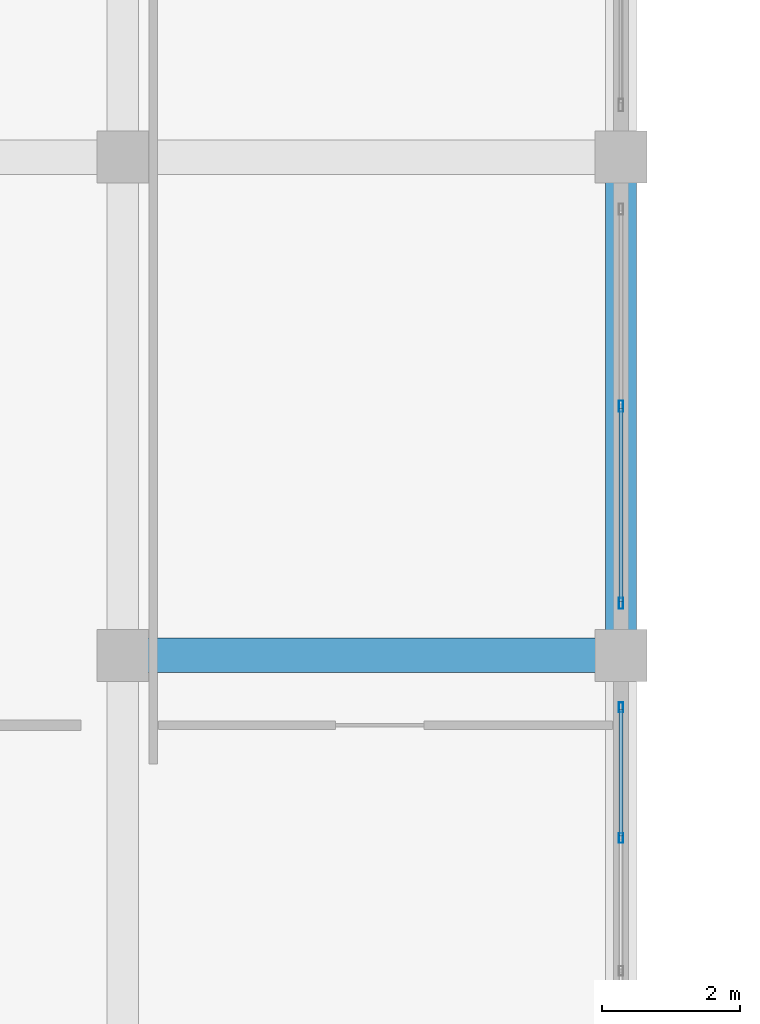
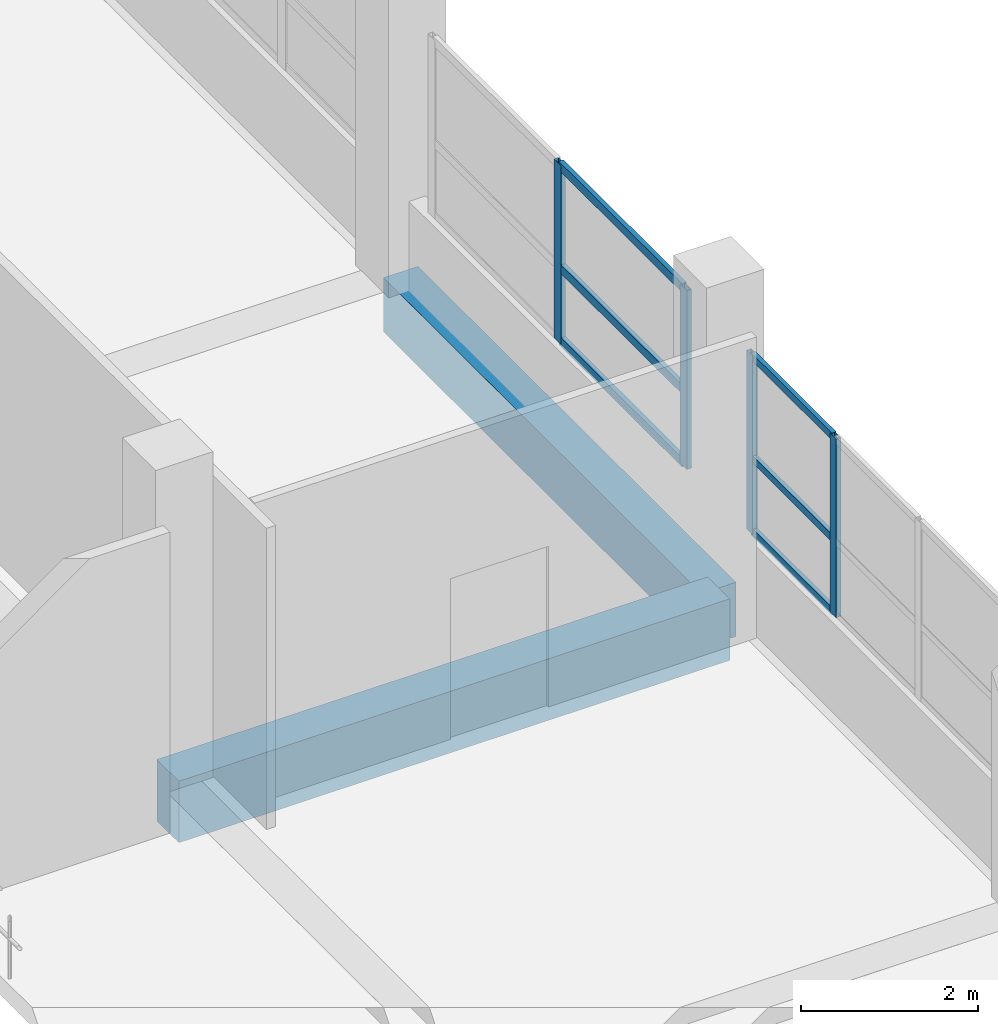
# One storey, part 57 of 141: 10 members, 2 beams, 2 elements without a shape of their own.
"""IFC4 building model written with IfcOpenShell, lengths in metres."""

from ifc_helpers import new_model, si_unit, direction, frame, origin, origin_2d, place, context, subcontext, project, spatial, rectangle, hollow_rectangle, extrude, material, layer, layer_set, material_profile, profile_set, type_object, element, aggregate, save


model = new_model("IFC4")

# Units and contexts
model_context = context("Model", 3, precision=1e-05, world=origin(), true_north=direction((0.0, 1.0)))
body_context = subcontext(model_context, "Body", "Model", "MODEL_VIEW")
ifc_project = project(units=[si_unit("LENGTHUNIT", "METRE"), si_unit("AREAUNIT", "SQUARE_METRE"), si_unit("VOLUMEUNIT", "CUBIC_METRE"), si_unit("PLANEANGLEUNIT", "RADIAN"), si_unit("MASSUNIT", "GRAM", prefix="KILO")], contexts=[model_context])

# Site, building, storey
site_placement = place(None, origin())
site = spatial("IfcSite", under=ifc_project, at=site_placement, CompositionType="ELEMENT")
building_placement = place(site_placement, origin())
building = spatial("IfcBuilding", under=site, at=building_placement, Name="Seraya Terrace Polytechnic", CompositionType="ELEMENT")
storey_placement = place(building_placement, frame((0.0, 0.0, 14.39990234375)))
storey = spatial("IfcBuildingStorey", under=building, at=storey_placement, Name="L03", CompositionType="ELEMENT", Elevation=14.39990234375)

# Beams
ifc_material_1 = material(Name="Concrete C40/50", Category="concrete")
ifc_material_profile_1 = material_profile(ifc_material_1, rectangle(XDim=0.5, YDim=0.85009765625, at=origin_2d()), Name="RC 500x850")
ifc_profile_set_1 = profile_set([ifc_material_profile_1], Name="Concrete C40/50")
beam_type_1 = type_object("IfcBeamType", Name="BM-05", PredefinedType="BEAM", material=ifc_profile_set_1)
beam_1_placement = place(storey_placement, frame((100.800048828125, 57.60009765625, -0.4248046875), z_axis=(1.0, 0.0, 0.0), x_axis=(0.0, 1.0, 0.0)))
element("IfcBeam", 1, at=beam_1_placement, inside=storey, type_object=beam_type_1, Name="Beam BM-05 L03 X (100.8..108.0, 57.6)", PredefinedType="BEAM", context=body_context, shape_type="SweptSolid", body=[
    extrude(rectangle(XDim=0.5, YDim=0.85009765625, at=origin_2d()), origin(), (0.0, 0.0, 1.0), 7.199951171875),
])
ifc_material_profile_2 = material_profile(ifc_material_1, rectangle(XDim=0.449951171875, YDim=0.75, at=origin_2d()), Name="RC 450x750")
ifc_profile_set_2 = profile_set([ifc_material_profile_2], Name="Concrete C40/50")
beam_type_2 = type_object("IfcBeamType", Name="BM-08", PredefinedType="BEAM", material=ifc_profile_set_2)
beam_2_placement = place(storey_placement, frame((108.0, 57.60009765625, -0.375), z_axis=(0.0, 1.0, 0.0), x_axis=(-1.0, 0.0, 0.0)))
element("IfcBeam", 2, at=beam_2_placement, inside=storey, type_object=beam_type_2, Name="Beam BM-08 L03 Y (108.0, 57.6..64.8)", PredefinedType="BEAM", context=body_context, shape_type="SweptSolid", body=[
    extrude(rectangle(XDim=0.449951171875, YDim=0.75, at=origin_2d()), origin(), (0.0, 0.0, 1.0), 7.199951171875),
])

# Curtain wall, members
ifc_material_2 = material(Name="Anodised aluminium EN AW-6063 T6", Category="aluminium")
ifc_layer_1 = layer(ifc_material_2, 0.179931640625, Name="CW-20")
ifc_layer_set_1 = layer_set([ifc_layer_1], Name="Anodised aluminium EN AW-6063 T6")
curtain_wall_type_1 = type_object("IfcCurtainWallType", Name="CW-20", PredefinedType="NOTDEFINED", material=ifc_layer_set_1)
curtain_wall_1_placement = place(storey_placement, origin())
curtain_wall_1 = element("IfcCurtainWall", 3, at=curtain_wall_1_placement, inside=storey, type_object=curtain_wall_type_1, Name="Unitised curtain wall CW-20 (CW-L03-128)", PredefinedType="NOTDEFINED")
ifc_material_profile_3 = material_profile(ifc_material_2, hollow_rectangle(XDim=0.06005859375, YDim=0.159912109375, WallThickness=0.00341796875, at=origin_2d()), Name="RHS 160x60x3.5")
ifc_profile_set_3 = profile_set([ifc_material_profile_3], Name="Anodised aluminium EN AW-6063 T6")
member_type_1 = type_object("IfcMemberType", Name="CWM-02", PredefinedType="MULLION", material=ifc_profile_set_3)
member_1_placement = place(storey_placement, frame((108.0, 61.199951171875, 1.239990234375), z_axis=(0.0, 0.0, 1.0), x_axis=(1.0, 0.0, 0.0)))
member_1 = element("IfcMember", 4, at=member_1_placement, type_object=member_type_1, Name="CW-20 mullion 2", PredefinedType="MULLION", context=body_context, shape_type="SweptSolid", body=[
    extrude(hollow_rectangle(XDim=0.06005859375, YDim=0.159912109375, WallThickness=0.00341796875, at=origin_2d()), origin(), (0.0, 0.0, 1.0), 2.47021484375),
])
member_2_placement = place(storey_placement, frame((108.0, 58.35009765625, 1.239990234375), z_axis=(0.0, 0.0, 1.0), x_axis=(1.0, 0.0, 0.0)))
member_2 = element("IfcMember", 5, at=member_2_placement, type_object=member_type_1, Name="CW-20 mullion 3", PredefinedType="MULLION", context=body_context, shape_type="SweptSolid", body=[
    extrude(hollow_rectangle(XDim=0.06005859375, YDim=0.159912109375, WallThickness=0.00341796875, at=origin_2d()), origin(), (0.0, 0.0, 1.0), 2.47021484375),
])

ifc_layer_2 = layer(ifc_material_2, 0.179931640625, Name="CW-21")
ifc_layer_set_2 = layer_set([ifc_layer_2], Name="Anodised aluminium EN AW-6063 T6")
curtain_wall_type_2 = type_object("IfcCurtainWallType", Name="CW-21", PredefinedType="NOTDEFINED", material=ifc_layer_set_2)
curtain_wall_2_placement = place(storey_placement, origin())
curtain_wall_2 = element("IfcCurtainWall", 6, at=curtain_wall_2_placement, inside=storey, type_object=curtain_wall_type_2, Name="Unitised curtain wall CW-21 (CW-L03-129)", PredefinedType="NOTDEFINED")
ifc_material_profile_4 = material_profile(ifc_material_2, hollow_rectangle(XDim=0.06005859375, YDim=0.139892578125, WallThickness=0.00341796875, at=origin_2d()), Name="RHS 140x60x3.5")
ifc_profile_set_4 = profile_set([ifc_material_profile_4], Name="Anodised aluminium EN AW-6063 T6")
member_type_2 = type_object("IfcMemberType", Name="CWM-03", PredefinedType="MULLION", material=ifc_profile_set_4)
member_3_placement = place(storey_placement, frame((108.0, 56.85009765625, 1.239990234375), z_axis=(0.0, 0.0, 1.0), x_axis=(1.0, 0.0, 0.0)))
member_3 = element("IfcMember", 7, at=member_3_placement, type_object=member_type_2, Name="CW-21 mullion 1", PredefinedType="MULLION", context=body_context, shape_type="SweptSolid", body=[
    extrude(hollow_rectangle(XDim=0.06005859375, YDim=0.139892578125, WallThickness=0.00341796875, at=origin_2d()), origin(), (0.0, 0.0, 1.0), 2.47021484375),
])
member_4_placement = place(storey_placement, frame((108.0, 54.9599609375, 1.239990234375), z_axis=(0.0, 0.0, 1.0), x_axis=(1.0, 0.0, 0.0)))
member_4 = element("IfcMember", 8, at=member_4_placement, type_object=member_type_2, Name="CW-21 mullion 2", PredefinedType="MULLION", context=body_context, shape_type="SweptSolid", body=[
    extrude(hollow_rectangle(XDim=0.06005859375, YDim=0.139892578125, WallThickness=0.00341796875, at=origin_2d()), origin(), (0.0, 0.0, 1.0), 2.47021484375),
])

# Member
ifc_material_profile_5 = material_profile(ifc_material_2, hollow_rectangle(XDim=0.06005859375, YDim=0.1201171875, WallThickness=0.003173828125, at=origin_2d()), Name="RHS 120x60x3.2")
ifc_profile_set_5 = profile_set([ifc_material_profile_5], Name="Anodised aluminium EN AW-6063 T6")
member_type_3 = type_object("IfcMemberType", Name="CWT-02", PredefinedType="USERDEFINED", material=ifc_profile_set_5)
member_5_placement = place(storey_placement, frame((108.0, 61.169921875, 1.27001953125), z_axis=(0.0, -1.0, 0.0), x_axis=(1.0, 0.0, 0.0)))
member_5 = element("IfcMember", 9, at=member_5_placement, type_object=member_type_3, Name="CW-20 transom 2.1", ObjectType="TRANSOM", PredefinedType="USERDEFINED", context=body_context, shape_type="SweptSolid", body=[
    extrude(hollow_rectangle(XDim=0.06005859375, YDim=0.1201171875, WallThickness=0.003173828125, at=origin_2d()), origin(), (0.0, 0.0, 1.0), 2.7900390625),
])

member_6_placement = place(storey_placement, frame((108.0, 61.169921875, 2.277587890625), z_axis=(0.0, -1.0, 0.0), x_axis=(1.0, 0.0, 0.0)))
member_6 = element("IfcMember", 10, at=member_6_placement, type_object=member_type_3, Name="CW-20 transom 2.2", ObjectType="TRANSOM", PredefinedType="USERDEFINED", context=body_context, shape_type="SweptSolid", body=[
    extrude(hollow_rectangle(XDim=0.06005859375, YDim=0.1201171875, WallThickness=0.003173828125, at=origin_2d()), origin(), (0.0, 0.0, 1.0), 2.7900390625),
])

member_7_placement = place(storey_placement, frame((108.0, 61.169921875, 3.68017578125), z_axis=(0.0, -1.0, 0.0), x_axis=(1.0, 0.0, 0.0)))
member_7 = element("IfcMember", 11, at=member_7_placement, type_object=member_type_3, Name="CW-20 transom 2.3", ObjectType="TRANSOM", PredefinedType="USERDEFINED", context=body_context, shape_type="SweptSolid", body=[
    extrude(hollow_rectangle(XDim=0.06005859375, YDim=0.1201171875, WallThickness=0.003173828125, at=origin_2d()), origin(), (0.0, 0.0, 1.0), 2.7900390625),
])

aggregate(curtain_wall_1, [member_1, member_2, member_5, member_6, member_7])

ifc_material_profile_6 = material_profile(ifc_material_2, hollow_rectangle(XDim=0.054931640625, YDim=0.10009765625, WallThickness=0.0029296875, at=origin_2d()), Name="RHS 100x55x3.0")
ifc_profile_set_6 = profile_set([ifc_material_profile_6], Name="Anodised aluminium EN AW-6063 T6")
member_type_4 = type_object("IfcMemberType", Name="CWT-03", PredefinedType="USERDEFINED", material=ifc_profile_set_6)
member_8_placement = place(storey_placement, frame((108.0, 56.820068359375, 1.267578125), z_axis=(0.0, -1.0, 0.0), x_axis=(1.0, 0.0, 0.0)))
member_8 = element("IfcMember", 12, at=member_8_placement, type_object=member_type_4, Name="CW-21 transom 1.1", ObjectType="TRANSOM", PredefinedType="USERDEFINED", context=body_context, shape_type="SweptSolid", body=[
    extrude(hollow_rectangle(XDim=0.054931640625, YDim=0.10009765625, WallThickness=0.0029296875, at=origin_2d()), origin(), (0.0, 0.0, 1.0), 1.830078125),
])

member_9_placement = place(storey_placement, frame((108.0, 56.820068359375, 2.277587890625), z_axis=(0.0, -1.0, 0.0), x_axis=(1.0, 0.0, 0.0)))
member_9 = element("IfcMember", 13, at=member_9_placement, type_object=member_type_4, Name="CW-21 transom 1.2", ObjectType="TRANSOM", PredefinedType="USERDEFINED", context=body_context, shape_type="SweptSolid", body=[
    extrude(hollow_rectangle(XDim=0.054931640625, YDim=0.10009765625, WallThickness=0.0029296875, at=origin_2d()), origin(), (0.0, 0.0, 1.0), 1.830078125),
])

member_10_placement = place(storey_placement, frame((108.0, 56.820068359375, 3.6826171875), z_axis=(0.0, -1.0, 0.0), x_axis=(1.0, 0.0, 0.0)))
member_10 = element("IfcMember", 14, at=member_10_placement, type_object=member_type_4, Name="CW-21 transom 1.3", ObjectType="TRANSOM", PredefinedType="USERDEFINED", context=body_context, shape_type="SweptSolid", body=[
    extrude(hollow_rectangle(XDim=0.054931640625, YDim=0.10009765625, WallThickness=0.0029296875, at=origin_2d()), origin(), (0.0, 0.0, 1.0), 1.830078125),
])

aggregate(curtain_wall_2, [member_3, member_4, member_8, member_9, member_10])

save(model, "model.ifc")
